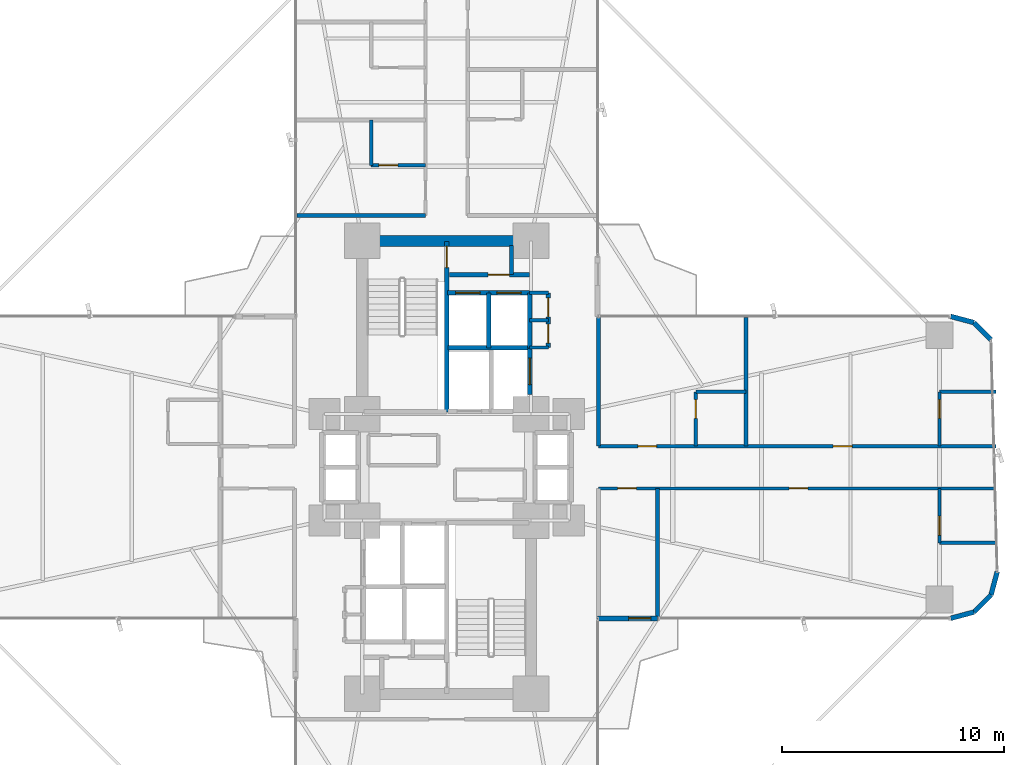
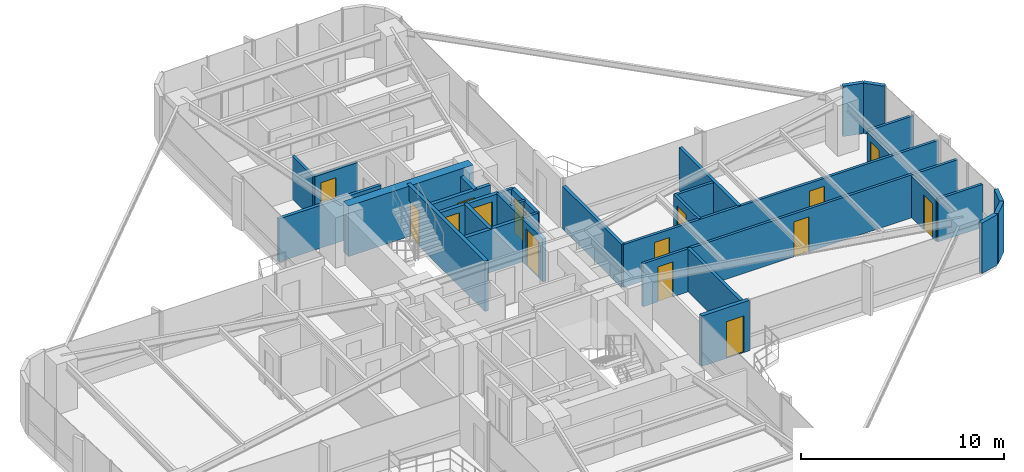
# One storey, part 23 of 25: 34 walls, 16 doors, 16 openings.
"""IFC4 building model written with IfcOpenShell, lengths in metres."""

from ifc_helpers import new_model, si_unit, direction, frame, frame_2d, origin, origin_2d, place, context, subcontext, project, spatial, rectangle, extrude, source, transform, mapped, material, layer, layer_set, type_object, element, fill, save


model = new_model("IFC4")

# Units and contexts
model_context = context("Model", 3, precision=1e-05, world=origin(), true_north=direction((0.0, 1.0)))
body_context = subcontext(model_context, "Body", "Model", "MODEL_VIEW")
ifc_project = project(units=[si_unit("LENGTHUNIT", "METRE"), si_unit("AREAUNIT", "SQUARE_METRE"), si_unit("VOLUMEUNIT", "CUBIC_METRE"), si_unit("PLANEANGLEUNIT", "RADIAN"), si_unit("MASSUNIT", "GRAM", prefix="KILO")], contexts=[model_context])

# Site, building, storey
site_placement = place(None, origin())
site = spatial("IfcSite", under=ifc_project, at=site_placement, CompositionType="ELEMENT")
building_placement = place(site_placement, origin())
building = spatial("IfcBuilding", under=site, at=building_placement, Name="Sahyath Konkavel Grand Hotel", CompositionType="ELEMENT")
storey_placement = place(building_placement, frame((0.0, 0.0, 71.14990234375)))
storey = spatial("IfcBuildingStorey", under=building, at=storey_placement, Name="L19", CompositionType="ELEMENT", Elevation=71.14990234375)

# Wall
ifc_material_1 = material(Name="Concrete C70/85", Category="concrete")
ifc_layer_1 = layer(ifc_material_1, 0.5)
ifc_layer_set_1 = layer_set([ifc_layer_1], Name="Concrete C70/85")
wall_type_1 = type_object("IfcWallType", Name="CWALL-500", PredefinedType="SHEAR", material=ifc_layer_set_1)
wall_1_placement = place(storey_placement, frame((-3.550048828125, 10.199951171875, 0.0), z_axis=(0.0, 0.0, 1.0), x_axis=(1.0, 0.0, 0.0)))
element("IfcWall", 1, at=wall_1_placement, inside=storey, type_object=wall_type_1, Name="L19 North Core Shear Wall N", PredefinedType="SHEAR", context=body_context, shape_type="SweptSolid", body=[
    extrude(rectangle(XDim=7.10009765625, YDim=0.5, at=frame_2d((3.550048828125, 0.0))), origin(), (0.0, 0.0, 1.0), 3.030029296875),
])

# Wall, opening, door
ifc_material_2 = material(Name="Warm Buff Sandstone Insulated Concrete C40/50", Category="masonry")
ifc_layer_2 = layer(ifc_material_2, 0.219970703125)
ifc_layer_set_2 = layer_set([ifc_layer_2], Name="Warm Buff Sandstone Insulated Concrete C40/50")
wall_type_2 = type_object("IfcWallType", Name="WLL-BALC-THRESH", PredefinedType="STANDARD", material=ifc_layer_set_2)
wall_2_placement = place(storey_placement, frame((6.800048828125, -6.800048828125, 0.0), z_axis=(0.0, 0.0, 1.0), x_axis=(1.0, 0.0, 0.0)))
wall_2 = element("IfcWall", 2, at=wall_2_placement, inside=storey, type_object=wall_type_2, Name="L19 Winter-Garden Threshold Wall 0", PredefinedType="STANDARD", context=body_context, shape_type="SweptSolid", body=[
    extrude(rectangle(XDim=2.699951171875, YDim=0.219970703125, at=frame_2d((1.35009765625, 0.0))), origin(), (0.0, 0.0, 1.0), 3.030029296875),
])
opening_1_placement = place(wall_2_placement, frame((1.39990234375, 0.0, 0.0)))
opening_1 = element("IfcOpeningElement", 3, at=opening_1_placement, cuts=wall_2, Name="Opening D-TR1", PredefinedType="OPENING", context=body_context, shape_type="SweptSolid", body=[
    extrude(rectangle(XDim=1.0, YDim=2.199951171875, at=frame_2d((0.5, 1.10009765625))), frame((0.0, 0.1201171875, 0.0), z_axis=(0.0, -1.0, 0.0), x_axis=(1.0, 0.0, 0.0)), (0.0, 0.0, 1.0), 0.239990234375),
])
ifc_material_3 = material(Name="Anodised Bronze Aluminium & Low-E Glazing", Category="aluminium")
door_type_1 = type_object("IfcDoorType", Name="DR-TERRACE-1000", OperationType="NOTDEFINED", PredefinedType="DOOR", material=ifc_material_3)
shared_shape_1 = source(origin(), body_context, "Body", "SweptSolid", [
    extrude(rectangle(XDim=1.0, YDim=0.050048828125, at=origin_2d()), origin(), (0.0, 0.0, 1.0), 2.199951171875),
])
door_1_placement = place(opening_1_placement, frame((0.5, 0.0, 0.0)))
door_1 = element("IfcDoor", 4, at=door_1_placement, inside=storey, type_object=door_type_1, Name="L19 Winter-Garden Terrace Door 0", OperationType="SINGLE_SWING_LEFT", OverallHeight=2.199951171875, OverallWidth=1.0, PredefinedType="DOOR", context=body_context, shape_type="MappedRepresentation", body=[
    mapped(shared_shape_1, transform((0.0, 0.0, 0.0), scale=1.0)),
])
fill(opening_1, door_1)

# Walls
for number, where, z_axis, x_axis, name in (
    (5, (22.699951171875, -6.800048828125, 0.0), (0.0, 0.0, 1.0), (0.965951058412, 0.25872485917, 0.0), "L19 Rounded Corner Sandstone Pier 1"),
    (6, (23.75, -6.518798828125, 0.0), (0.0, 0.0, 1.0), (0.707106781187, 0.707106781187, 0.0), "L19 Rounded Corner Sandstone Pier 2"),
    (7, (24.518798828125, -5.75, 0.0), (0.0, 0.0, 1.0), (0.25872485917, 0.965951058412, 0.0), "L19 Rounded Corner Sandstone Pier 3"),
    (8, (24.518798828125, 5.75, 0.0), (0.0, 0.0, 1.0), (-0.707106781187, 0.707106781187, 0.0), "L19 Rounded Corner Sandstone Pier 5"),
    (9, (23.75, 6.518798828125, 0.0), (0.0, 0.0, 1.0), (-0.965951058412, 0.25872485917, 0.0), "L19 Rounded Corner Sandstone Pier 6"),
):
    element("IfcWall", number, at=place(storey_placement, frame(where, z_axis=z_axis, x_axis=x_axis)), inside=storey, type_object=wall_type_2, Name=name, PredefinedType="STANDARD", context=body_context, shape_type="SweptSolid", body=[
        extrude(rectangle(XDim=1.087158203125, YDim=0.219970703125, at=frame_2d((0.54345703125, 0.0))), origin(), (0.0, 0.0, 1.0), 3.030029296875),
    ])

# Wall, opening, door
ifc_material_4 = material(Name="Concrete C40/50", Category="concrete")
ifc_layer_3 = layer(ifc_material_4, 0.199951171875)
ifc_layer_set_3 = layer_set([ifc_layer_3], Name="Concrete C40/50")
wall_type_3 = type_object("IfcWallType", Name="WLL-CORE-200", PredefinedType="SOLIDWALL", material=ifc_layer_set_3)
wall_3_placement = place(storey_placement, frame((0.0, 2.5, 0.0), z_axis=(0.0, 0.0, 1.0), x_axis=(0.0, 1.0, 0.0)))
wall_3 = element("IfcWall", 10, at=wall_3_placement, inside=storey, type_object=wall_type_3, Name="L19 Stair ST-1 Shaft Wall E", PredefinedType="SOLIDWALL", context=body_context, shape_type="SweptSolid", body=[
    extrude(rectangle(XDim=7.679931640625, YDim=0.199951171875, at=frame_2d((3.83984375, 0.0))), origin(), (0.0, 0.0, 1.0), 3.030029296875),
])
opening_2_placement = place(wall_3_placement, frame((6.5, 0.0, 0.0)))
opening_2 = element("IfcOpeningElement", 11, at=opening_2_placement, cuts=wall_3, Name="Opening D-F12C", PredefinedType="OPENING", context=body_context, shape_type="SweptSolid", body=[
    extrude(rectangle(XDim=0.949951171875, YDim=2.14990234375, at=frame_2d((0.47509765625, 1.074951171875))), frame((0.0, 0.10986328125, 0.0), z_axis=(0.0, -1.0, 0.0), x_axis=(1.0, 0.0, 0.0)), (0.0, 0.0, 1.0), 0.219970703125),
])
ifc_material_5 = material(Name="Steel E350 Plant Fire Door", Category="steel")
door_type_2 = type_object("IfcDoorType", Name="DR-FD120-950", OperationType="NOTDEFINED", PredefinedType="DOOR", material=ifc_material_5)
shared_shape_2 = source(origin(), body_context, "Body", "SweptSolid", [
    extrude(rectangle(XDim=0.949951171875, YDim=0.050048828125, at=origin_2d()), origin(), (0.0, 0.0, 1.0), 2.14990234375),
])
door_2_placement = place(opening_2_placement, frame((0.47509765625, 0.0, 0.0)))
door_2 = element("IfcDoor", 12, at=door_2_placement, inside=storey, type_object=door_type_2, Name="L19 Stair ST-1 Fire Door", OperationType="SINGLE_SWING_LEFT", OverallHeight=2.14990234375, OverallWidth=0.949951171875, PredefinedType="DOOR", context=body_context, shape_type="MappedRepresentation", body=[
    mapped(shared_shape_2, transform((0.0, 0.0, 0.0), scale=1.0)),
])
fill(opening_2, door_2)

wall_4_placement = place(storey_placement, frame((3.739990234375, 3.280029296875, 0.0), z_axis=(0.0, 0.0, 1.0), x_axis=(0.0, 1.0, 0.0)))
wall_4 = element("IfcWall", 13, at=wall_4_placement, inside=storey, type_object=wall_type_3, Name="L19 Partition SH-SVL1-E", PredefinedType="SOLIDWALL", context=body_context, shape_type="SweptSolid", body=[
    extrude(rectangle(XDim=2.080078125, YDim=0.199951171875, at=frame_2d((1.0400390625, 0.0))), origin(), (0.0, 0.0, 1.0), 2.580078125),
])
opening_3_placement = place(wall_4_placement, frame((0.43994140625, 0.0, 0.0)))
opening_3 = element("IfcOpeningElement", 14, at=opening_3_placement, cuts=wall_4, Name="Opening LD-12", PredefinedType="OPENING", context=body_context, shape_type="SweptSolid", body=[
    extrude(rectangle(XDim=1.199951171875, YDim=2.199951171875, at=frame_2d((0.60009765625, 1.10009765625))), frame((0.0, 0.10986328125, 0.0), z_axis=(0.0, -1.0, 0.0), x_axis=(1.0, 0.0, 0.0)), (0.0, 0.0, 1.0), 0.219970703125),
])
ifc_material_6 = material(Name="Stainless Steel Lift Landing Door 1200", Category="steel")
door_type_3 = type_object("IfcDoorType", Name="DR-LIFT-1200", OperationType="DOUBLE_DOOR_SLIDING", PredefinedType="DOOR", material=ifc_material_6)
shared_shape_3 = source(origin(), body_context, "Body", "SweptSolid", [
    extrude(rectangle(XDim=1.199951171875, YDim=0.050048828125, at=origin_2d()), origin(), (0.0, 0.0, 1.0), 2.199951171875),
])
door_3_placement = place(opening_3_placement, frame((0.60009765625, 0.0, 0.0)))
door_3 = element("IfcDoor", 15, at=door_3_placement, inside=storey, type_object=door_type_3, Name="L19 Service Lift SVL-1 Landing Door", OperationType="DOUBLE_DOOR_SLIDING", OverallHeight=2.199951171875, OverallWidth=1.199951171875, PredefinedType="DOOR", context=body_context, shape_type="MappedRepresentation", body=[
    mapped(shared_shape_3, transform((0.0, 0.0, 0.0), scale=1.0)),
])
fill(opening_3, door_3)

# Walls
wall_5_placement = place(storey_placement, frame((0.050048828125, 5.3798828125, 0.0), z_axis=(0.0, 0.0, 1.0), x_axis=(1.0, 0.0, 0.0)))
element("IfcWall", 16, at=wall_5_placement, inside=storey, type_object=wall_type_3, Name="L19 Partition SH-PL12-S", PredefinedType="SOLIDWALL", context=body_context, shape_type="SweptSolid", body=[
    extrude(rectangle(XDim=3.68994140625, YDim=0.199951171875, at=frame_2d((1.844970703125, 0.0))), origin(), (0.0, 0.0, 1.0), 2.580078125),
])
wall_6_placement = place(storey_placement, frame((1.89990234375, 5.3798828125, 0.0), z_axis=(0.0, 0.0, 1.0), x_axis=(0.0, 1.0, 0.0)))
element("IfcWall", 17, at=wall_6_placement, inside=storey, type_object=wall_type_3, Name="L19 Partition SH-PL12-M", PredefinedType="SOLIDWALL", context=body_context, shape_type="SweptSolid", body=[
    extrude(rectangle(XDim=2.480224609375, YDim=0.199951171875, at=frame_2d((1.240234375, 0.0))), origin(), (0.0, 0.0, 1.0), 2.580078125),
])

# Wall, opening, door
wall_7_placement = place(storey_placement, frame((0.050048828125, 7.860107421875, 0.0), z_axis=(0.0, 0.0, 1.0), x_axis=(1.0, 0.0, 0.0)))
wall_7 = element("IfcWall", 18, at=wall_7_placement, inside=storey, type_object=wall_type_3, Name="L19 Partition SH-PL1-N", PredefinedType="SOLIDWALL", context=body_context, shape_type="SweptSolid", body=[
    extrude(rectangle(XDim=1.849853515625, YDim=0.199951171875, at=frame_2d((0.9248046875, 0.0))), origin(), (0.0, 0.0, 1.0), 2.580078125),
])
opening_4_placement = place(wall_7_placement, frame((0.360107421875, 0.0, 0.0)))
opening_4 = element("IfcOpeningElement", 19, at=opening_4_placement, cuts=wall_7, Name="Opening LD-11", PredefinedType="OPENING", context=body_context, shape_type="SweptSolid", body=[
    extrude(rectangle(XDim=1.10009765625, YDim=2.199951171875, at=frame_2d((0.550048828125, 1.10009765625))), frame((0.0, 0.10986328125, 0.0), z_axis=(0.0, -1.0, 0.0), x_axis=(1.0, 0.0, 0.0)), (0.0, 0.0, 1.0), 0.219970703125),
])
ifc_material_7 = material(Name="Bronze Lift Landing Door 1100")
door_type_4 = type_object("IfcDoorType", Name="DR-LIFT-1100", OperationType="DOUBLE_DOOR_SLIDING", PredefinedType="DOOR", material=ifc_material_7)
shared_shape_4 = source(origin(), body_context, "Body", "SweptSolid", [
    extrude(rectangle(XDim=1.10009765625, YDim=0.050048828125, at=origin_2d()), origin(), (0.0, 0.0, 1.0), 2.199951171875),
])
door_4_placement = place(opening_4_placement, frame((0.550048828125, 0.0, 0.0)))
door_4 = element("IfcDoor", 20, at=door_4_placement, inside=storey, type_object=door_type_4, Name="L19 Passenger Lift PL-1 Landing Door", OperationType="DOUBLE_DOOR_SLIDING", OverallHeight=2.199951171875, OverallWidth=1.10009765625, PredefinedType="DOOR", context=body_context, shape_type="MappedRepresentation", body=[
    mapped(shared_shape_4, transform((0.0, 0.0, 0.0), scale=1.0)),
])
fill(opening_4, door_4)

# Wall
wall_8_placement = place(storey_placement, frame((3.739990234375, 5.3798828125, 0.0), z_axis=(0.0, 0.0, 1.0), x_axis=(0.0, 1.0, 0.0)))
element("IfcWall", 21, at=wall_8_placement, inside=storey, type_object=wall_type_3, Name="L19 Partition SH-PL2-E", PredefinedType="SOLIDWALL", context=body_context, shape_type="SweptSolid", body=[
    extrude(rectangle(XDim=2.480224609375, YDim=0.199951171875, at=frame_2d((1.240234375, 0.0))), origin(), (0.0, 0.0, 1.0), 2.580078125),
])

# Wall, opening, door
wall_9_placement = place(storey_placement, frame((1.89990234375, 7.860107421875, 0.0), z_axis=(0.0, 0.0, 1.0), x_axis=(1.0, 0.0, 0.0)))
wall_9 = element("IfcWall", 22, at=wall_9_placement, inside=storey, type_object=wall_type_3, Name="L19 Partition SH-PL2-N", PredefinedType="SOLIDWALL", context=body_context, shape_type="SweptSolid", body=[
    extrude(rectangle(XDim=1.840087890625, YDim=0.199951171875, at=frame_2d((0.919921875, 0.0))), origin(), (0.0, 0.0, 1.0), 2.580078125),
])
opening_5_placement = place(wall_9_placement, frame((0.360107421875, 0.0, 0.0)))
opening_5 = element("IfcOpeningElement", 23, at=opening_5_placement, cuts=wall_9, Name="Opening LD-11", PredefinedType="OPENING", context=body_context, shape_type="SweptSolid", body=[
    extrude(rectangle(XDim=1.10009765625, YDim=2.199951171875, at=frame_2d((0.550048828125, 1.10009765625))), frame((0.0, 0.10986328125, 0.0), z_axis=(0.0, -1.0, 0.0), x_axis=(1.0, 0.0, 0.0)), (0.0, 0.0, 1.0), 0.219970703125),
])
door_5_placement = place(opening_5_placement, frame((0.550048828125, 0.0, 0.0)))
door_5 = element("IfcDoor", 24, at=door_5_placement, inside=storey, type_object=door_type_4, Name="L19 Passenger Lift PL-2 Landing Door", OperationType="DOUBLE_DOOR_SLIDING", OverallHeight=2.199951171875, OverallWidth=1.10009765625, PredefinedType="DOOR", context=body_context, shape_type="MappedRepresentation", body=[
    mapped(shared_shape_4, transform((0.0, 0.0, 0.0), scale=1.0)),
])
fill(opening_5, door_5)

wall_10_placement = place(storey_placement, frame((0.1201171875, 8.679931640625, 0.0), z_axis=(0.0, 0.0, 1.0), x_axis=(1.0, 0.0, 0.0)))
wall_10 = element("IfcWall", 25, at=wall_10_placement, inside=storey, type_object=wall_type_3, Name="L19 North FF Lobby Separation Wall", PredefinedType="SOLIDWALL", context=body_context, shape_type="SweptSolid", body=[
    extrude(rectangle(XDim=3.619873046875, YDim=0.199951171875, at=frame_2d((1.81005859375, 0.0))), origin(), (0.0, 0.0, 1.0), 2.580078125),
])
opening_6_placement = place(wall_10_placement, frame((1.75, 0.0, 0.0)))
opening_6 = element("IfcOpeningElement", 26, at=opening_6_placement, cuts=wall_10, Name="Opening D-F12C", PredefinedType="OPENING", context=body_context, shape_type="SweptSolid", body=[
    extrude(rectangle(XDim=0.949951171875, YDim=2.14990234375, at=frame_2d((0.47509765625, 1.074951171875))), frame((0.0, 0.10986328125, 0.0), z_axis=(0.0, -1.0, 0.0), x_axis=(1.0, 0.0, 0.0)), (0.0, 0.0, 1.0), 0.219970703125),
])
door_6_placement = place(opening_6_placement, frame((0.47509765625, 0.0, 0.0)))
door_6 = element("IfcDoor", 27, at=door_6_placement, inside=storey, type_object=door_type_2, Name="L19 North Firefighting Lobby Door", OperationType="SINGLE_SWING_RIGHT", OverallHeight=2.14990234375, OverallWidth=0.949951171875, PredefinedType="DOOR", context=body_context, shape_type="MappedRepresentation", body=[
    mapped(shared_shape_2, transform((0.0, 0.0, 0.0), scale=1.0)),
])
fill(opening_6, door_6)

# Wall
wall_11_placement = place(storey_placement, frame((2.919921875, 8.679931640625, 0.0), z_axis=(0.0, 0.0, 1.0), x_axis=(0.0, 1.0, 0.0)))
element("IfcWall", 28, at=wall_11_placement, inside=storey, type_object=wall_type_3, Name="L19 Partition NFF-E2", PredefinedType="SOLIDWALL", context=body_context, shape_type="SweptSolid", body=[
    extrude(rectangle(XDim=1.320068359375, YDim=0.199951171875, at=frame_2d((0.66015625, 0.0))), origin(), (0.0, 0.0, 1.0), 2.580078125),
])

# Wall, openings, doors
wall_12_placement = place(storey_placement, frame((4.580078125, 5.39990234375, 0.0), z_axis=(0.0, 0.0, 1.0), x_axis=(0.0, 1.0, 0.0)))
wall_12 = element("IfcWall", 29, at=wall_12_placement, inside=storey, type_object=wall_type_3, Name="L19 Partition NC-FLK-E", PredefinedType="SOLIDWALL", context=body_context, shape_type="SweptSolid", body=[
    extrude(rectangle(XDim=2.460205078125, YDim=0.199951171875, at=frame_2d((1.22998046875, 0.0))), origin(), (0.0, 0.0, 1.0), 2.580078125),
])
opening_7_placement = place(wall_12_placement, frame((0.199951171875, 0.0, 0.0)))
opening_7 = element("IfcOpeningElement", 30, at=opening_7_placement, cuts=wall_12, Name="Opening D-F06D", PredefinedType="OPENING", context=body_context, shape_type="SweptSolid", body=[
    extrude(rectangle(XDim=0.85009765625, YDim=2.10009765625, at=frame_2d((0.425048828125, 1.050048828125))), frame((0.0, 0.10986328125, 0.0), z_axis=(0.0, -1.0, 0.0), x_axis=(1.0, 0.0, 0.0)), (0.0, 0.0, 1.0), 0.219970703125),
])
opening_8_placement = place(wall_12_placement, frame((1.3798828125, 0.0, 0.0)))
opening_8 = element("IfcOpeningElement", 31, at=opening_8_placement, cuts=wall_12, Name="Opening D-F06D", PredefinedType="OPENING", context=body_context, shape_type="SweptSolid", body=[
    extrude(rectangle(XDim=0.85009765625, YDim=2.10009765625, at=frame_2d((0.425048828125, 1.050048828125))), frame((0.0, 0.10986328125, 0.0), z_axis=(0.0, -1.0, 0.0), x_axis=(1.0, 0.0, 0.0)), (0.0, 0.0, 1.0), 0.219970703125),
])
ifc_material_8 = material(Name="Fire-Rated Shaft Access Door")
door_type_5 = type_object("IfcDoorType", Name="DR-FD60-850", OperationType="NOTDEFINED", PredefinedType="DOOR", material=ifc_material_8)
shared_shape_5 = source(origin(), body_context, "Body", "SweptSolid", [
    extrude(rectangle(XDim=0.85009765625, YDim=0.050048828125, at=origin_2d()), origin(), (0.0, 0.0, 1.0), 2.10009765625),
])
door_7_placement = place(opening_7_placement, frame((0.425048828125, 0.0, 0.0)))
door_7 = element("IfcDoor", 32, at=door_7_placement, inside=storey, type_object=door_type_5, Name="L19 Door NC-FLK1-D", OperationType="SINGLE_SWING_RIGHT", OverallHeight=2.10009765625, OverallWidth=0.85009765625, PredefinedType="DOOR", context=body_context, shape_type="MappedRepresentation", body=[
    mapped(shared_shape_5, transform((0.0, 0.0, 0.0), scale=1.0)),
])
fill(opening_7, door_7)
door_8_placement = place(opening_8_placement, frame((0.425048828125, 0.0, 0.0)))
door_8 = element("IfcDoor", 33, at=door_8_placement, inside=storey, type_object=door_type_5, Name="L19 Door NC-FLK2-D", OperationType="SINGLE_SWING_LEFT", OverallHeight=2.10009765625, OverallWidth=0.85009765625, PredefinedType="DOOR", context=body_context, shape_type="MappedRepresentation", body=[
    mapped(shared_shape_5, transform((0.0, 0.0, 0.0), scale=1.0)),
])
fill(opening_8, door_8)

# Walls
ifc_material_9 = material(Name="Twin-Stud Acoustic Gypsum Plasterboard Partition")
ifc_layer_4 = layer(ifc_material_9, 0.179931640625)
ifc_layer_set_4 = layer_set([ifc_layer_4], Name="Twin-Stud Acoustic Gypsum Plasterboard Partition")
wall_type_4 = type_object("IfcWallType", Name="WLL-DEMISE-180", PredefinedType="PARTITIONING", material=ifc_layer_set_4)
for number, where, z_axis, x_axis, name in (
    (34, (6.85009765625, 0.949951171875, 0.0), (0.0, 0.0, 1.0), (0.0, 1.0, 0.0), "L19 Partition E-INL"),
    (35, (13.472900390625, 0.949951171875, 0.0), (0.0, 0.0, 1.0), (0.0, 1.0, 0.0), "L19 Partition E-E1L-DEM"),
    (36, (9.5, -0.949951171875, 0.0), (0.0, 0.0, 1.0), (0.0, -1.0, 0.0), "L19 Partition E-EHK-DEM"),
    (37, (-0.949951171875, 11.35009765625, 0.0), (0.0, 0.0, 1.0), (-1.0, 0.0, 0.0), "L19 Partition N-INL"),
):
    element("IfcWall", number, at=place(storey_placement, frame(where, z_axis=z_axis, x_axis=x_axis)), inside=storey, type_object=wall_type_4, Name=name, PredefinedType="PARTITIONING", context=body_context, shape_type="SweptSolid", body=[
        extrude(rectangle(XDim=5.800048828125, YDim=0.179931640625, at=frame_2d((2.89990234375, 0.0))), origin(), (0.0, 0.0, 1.0), 2.580078125),
    ])
ifc_material_10 = material(Name="Fire-Rated Gypsum Plasterboard Partition")
ifc_layer_5 = layer(ifc_material_10, 0.14990234375)
ifc_layer_set_5 = layer_set([ifc_layer_5], Name="Fire-Rated Gypsum Plasterboard Partition")
wall_type_5 = type_object("IfcWallType", Name="WLL-PART-150", PredefinedType="PARTITIONING", material=ifc_layer_set_5)
for number, where, z_axis, x_axis, name in (
    (38, (3.739990234375, 5.39990234375, 0.0), (0.0, 0.0, 1.0), (1.0, 0.0, 0.0), "L19 Partition NC-FLK-S"),
    (39, (3.739990234375, 7.860107421875, 0.0), (0.0, 0.0, 1.0), (1.0, 0.0, 0.0), "L19 Partition NC-FLK-N"),
    (40, (3.739990234375, 6.6298828125, 0.0), (0.0, 0.0, 1.0), (1.0, 0.0, 0.0), "L19 Partition NC-FLK-M"),
):
    element("IfcWall", number, at=place(storey_placement, frame(where, z_axis=z_axis, x_axis=x_axis)), inside=storey, type_object=wall_type_5, Name=name, PredefinedType="PARTITIONING", context=body_context, shape_type="SweptSolid", body=[
        extrude(rectangle(XDim=0.840087890625, YDim=0.14990234375, at=frame_2d((0.419921875, 0.0))), origin(), (0.0, 0.0, 1.0), 2.580078125),
    ])

# Wall, openings, doors
wall_13_placement = place(storey_placement, frame((6.85009765625, 0.949951171875, 0.0), z_axis=(0.0, 0.0, 1.0), x_axis=(1.0, 0.0, 0.0)))
wall_13 = element("IfcWall", 41, at=wall_13_placement, inside=storey, type_object=wall_type_5, Name="L19 Partition E-CL", PredefinedType="PARTITIONING", context=body_context, shape_type="SweptSolid", body=[
    extrude(rectangle(XDim=17.89990234375, YDim=0.14990234375, at=frame_2d((8.949951171875, 0.0))), origin(), (0.0, 0.0, 1.0), 2.580078125),
])
opening_9_placement = place(wall_13_placement, frame((1.760009765625, 0.0, 0.0)))
opening_9 = element("IfcOpeningElement", 42, at=opening_9_placement, cuts=wall_13, Name="Opening D-F06D", PredefinedType="OPENING", context=body_context, shape_type="SweptSolid", body=[
    extrude(rectangle(XDim=0.85009765625, YDim=2.10009765625, at=frame_2d((0.425048828125, 1.050048828125))), frame((0.0, 0.0849609375, 0.0), z_axis=(0.0, -1.0, 0.0), x_axis=(1.0, 0.0, 0.0)), (0.0, 0.0, 1.0), 0.169921875),
])
opening_10_placement = place(wall_13_placement, frame((10.56201171875, 0.0, 0.0)))
opening_10 = element("IfcOpeningElement", 43, at=opening_10_placement, cuts=wall_13, Name="Opening D-F06D", PredefinedType="OPENING", context=body_context, shape_type="SweptSolid", body=[
    extrude(rectangle(XDim=0.85009765625, YDim=2.10009765625, at=frame_2d((0.425048828125, 1.050048828125))), frame((0.0, 0.0849609375, 0.0), z_axis=(0.0, -1.0, 0.0), x_axis=(1.0, 0.0, 0.0)), (0.0, 0.0, 1.0), 0.169921875),
])
door_9_placement = place(opening_9_placement, frame((0.425048828125, 0.0, 0.0)))
door_9 = element("IfcDoor", 44, at=door_9_placement, inside=storey, type_object=door_type_5, Name="L19 Door E-E1L-ED", OperationType="SINGLE_SWING_LEFT", OverallHeight=2.10009765625, OverallWidth=0.85009765625, PredefinedType="DOOR", context=body_context, shape_type="MappedRepresentation", body=[
    mapped(shared_shape_5, transform((0.0, 0.0, 0.0), scale=1.0)),
])
fill(opening_9, door_9)
door_10_placement = place(opening_10_placement, frame((0.425048828125, 0.0, 0.0)))
door_10 = element("IfcDoor", 45, at=door_10_placement, inside=storey, type_object=door_type_5, Name="L19 Door E-E2L-ED", OperationType="SINGLE_SWING_LEFT", OverallHeight=2.10009765625, OverallWidth=0.85009765625, PredefinedType="DOOR", context=body_context, shape_type="MappedRepresentation", body=[
    mapped(shared_shape_5, transform((0.0, 0.0, 0.0), scale=1.0)),
])
fill(opening_10, door_10)

wall_14_placement = place(storey_placement, frame((6.85009765625, -0.949951171875, 0.0), z_axis=(0.0, 0.0, 1.0), x_axis=(1.0, 0.0, 0.0)))
wall_14 = element("IfcWall", 46, at=wall_14_placement, inside=storey, type_object=wall_type_5, Name="L19 Partition E-CR", PredefinedType="PARTITIONING", context=body_context, shape_type="SweptSolid", body=[
    extrude(rectangle(XDim=17.89990234375, YDim=0.14990234375, at=frame_2d((8.949951171875, 0.0))), origin(), (0.0, 0.0, 1.0), 2.580078125),
])
opening_11_placement = place(wall_14_placement, frame((0.85009765625, 0.0, 0.0)))
opening_11 = element("IfcOpeningElement", 47, at=opening_11_placement, cuts=wall_14, Name="Opening D-F06D", PredefinedType="OPENING", context=body_context, shape_type="SweptSolid", body=[
    extrude(rectangle(XDim=0.85009765625, YDim=2.10009765625, at=frame_2d((0.425048828125, 1.050048828125))), frame((0.0, 0.0849609375, 0.0), z_axis=(0.0, -1.0, 0.0), x_axis=(1.0, 0.0, 0.0)), (0.0, 0.0, 1.0), 0.169921875),
])
opening_12_placement = place(wall_14_placement, frame((8.574951171875, 0.0, 0.0)))
opening_12 = element("IfcOpeningElement", 48, at=opening_12_placement, cuts=wall_14, Name="Opening D-F06D", PredefinedType="OPENING", context=body_context, shape_type="SweptSolid", body=[
    extrude(rectangle(XDim=0.85009765625, YDim=2.10009765625, at=frame_2d((0.425048828125, 1.050048828125))), frame((0.0, 0.0849609375, 0.0), z_axis=(0.0, -1.0, 0.0), x_axis=(1.0, 0.0, 0.0)), (0.0, 0.0, 1.0), 0.169921875),
])
door_11_placement = place(opening_11_placement, frame((0.425048828125, 0.0, 0.0)))
door_11 = element("IfcDoor", 49, at=door_11_placement, inside=storey, type_object=door_type_5, Name="L19 Door E-EHK-D", OperationType="SINGLE_SWING_RIGHT", OverallHeight=2.10009765625, OverallWidth=0.85009765625, PredefinedType="DOOR", context=body_context, shape_type="MappedRepresentation", body=[
    mapped(shared_shape_5, transform((0.0, 0.0, 0.0), scale=1.0)),
])
fill(opening_11, door_11)
door_12_placement = place(opening_12_placement, frame((0.425048828125, 0.0, 0.0)))
door_12 = element("IfcDoor", 50, at=door_12_placement, inside=storey, type_object=door_type_5, Name="L19 Door E-E2R-ED", OperationType="SINGLE_SWING_RIGHT", OverallHeight=2.10009765625, OverallWidth=0.85009765625, PredefinedType="DOOR", context=body_context, shape_type="MappedRepresentation", body=[
    mapped(shared_shape_5, transform((0.0, 0.0, 0.0), scale=1.0)),
])
fill(opening_12, door_12)

# Wall, opening, door
wall_15_placement = place(storey_placement, frame((11.220947265625, 0.949951171875, 0.0), z_axis=(0.0, 0.0, 1.0), x_axis=(0.0, 1.0, 0.0)))
wall_15 = element("IfcWall", 51, at=wall_15_placement, inside=storey, type_object=wall_type_5, Name="L19 Partition E-E1L-BS", PredefinedType="PARTITIONING", context=body_context, shape_type="SweptSolid", body=[
    extrude(rectangle(XDim=2.449951171875, YDim=0.14990234375, at=frame_2d((1.22509765625, 0.0))), origin(), (0.0, 0.0, 1.0), 2.580078125),
])
opening_13_placement = place(wall_15_placement, frame((1.25, 0.0, 0.0)))
opening_13 = element("IfcOpeningElement", 52, at=opening_13_placement, cuts=wall_15, Name="Opening D-BT85", PredefinedType="OPENING", context=body_context, shape_type="SweptSolid", body=[
    extrude(rectangle(XDim=0.85009765625, YDim=2.10009765625, at=frame_2d((0.425048828125, 1.050048828125))), frame((0.0, 0.0849609375, 0.0), z_axis=(0.0, -1.0, 0.0), x_axis=(1.0, 0.0, 0.0)), (0.0, 0.0, 1.0), 0.169921875),
])
ifc_material_11 = material(Name="Moisture-Resistant Teak Bathroom Door")
door_type_6 = type_object("IfcDoorType", Name="DR-BATH-850", OperationType="NOTDEFINED", PredefinedType="DOOR", material=ifc_material_11)
door_13_placement = place(opening_13_placement, frame((0.425048828125, 0.0, 0.0)))
door_13 = element("IfcDoor", 53, at=door_13_placement, inside=storey, type_object=door_type_6, Name="L19 Door E-E1L-BD", OperationType="SINGLE_SWING_RIGHT", OverallHeight=2.10009765625, OverallWidth=0.85009765625, PredefinedType="DOOR", context=body_context, shape_type="MappedRepresentation", body=[
    mapped(shared_shape_5, transform((0.0, 0.0, 0.0), scale=1.0)),
])
fill(opening_13, door_13)

# Wall
wall_16_placement = place(storey_placement, frame((11.220947265625, 3.39990234375, 0.0), z_axis=(0.0, 0.0, 1.0), x_axis=(1.0, 0.0, 0.0)))
element("IfcWall", 54, at=wall_16_placement, inside=storey, type_object=wall_type_5, Name="L19 Partition E-E1L-BF", PredefinedType="PARTITIONING", context=body_context, shape_type="SweptSolid", body=[
    extrude(rectangle(XDim=2.251953125, YDim=0.14990234375, at=frame_2d((1.1259765625, 0.0))), origin(), (0.0, 0.0, 1.0), 2.550048828125),
])

# Wall, opening, door
wall_17_placement = place(storey_placement, frame((22.199951171875, 0.949951171875, 0.0), z_axis=(0.0, 0.0, 1.0), x_axis=(0.0, 1.0, 0.0)))
wall_17 = element("IfcWall", 55, at=wall_17_placement, inside=storey, type_object=wall_type_5, Name="L19 Partition E-E2L-BS", PredefinedType="PARTITIONING", context=body_context, shape_type="SweptSolid", body=[
    extrude(rectangle(XDim=2.449951171875, YDim=0.14990234375, at=frame_2d((1.22509765625, 0.0))), origin(), (0.0, 0.0, 1.0), 2.5),
])
opening_14_placement = place(wall_17_placement, frame((1.25, 0.0, 0.0)))
opening_14 = element("IfcOpeningElement", 56, at=opening_14_placement, cuts=wall_17, Name="Opening D-BT85", PredefinedType="OPENING", context=body_context, shape_type="SweptSolid", body=[
    extrude(rectangle(XDim=0.85009765625, YDim=2.10009765625, at=frame_2d((0.425048828125, 1.050048828125))), frame((0.0, 0.0849609375, 0.0), z_axis=(0.0, -1.0, 0.0), x_axis=(1.0, 0.0, 0.0)), (0.0, 0.0, 1.0), 0.169921875),
])
door_14_placement = place(opening_14_placement, frame((0.425048828125, 0.0, 0.0)))
door_14 = element("IfcDoor", 57, at=door_14_placement, inside=storey, type_object=door_type_6, Name="L19 Door E-E2L-BD", OperationType="SINGLE_SWING_RIGHT", OverallHeight=2.10009765625, OverallWidth=0.85009765625, PredefinedType="DOOR", context=body_context, shape_type="MappedRepresentation", body=[
    mapped(shared_shape_5, transform((0.0, 0.0, 0.0), scale=1.0)),
])
fill(opening_14, door_14)

# Wall
wall_18_placement = place(storey_placement, frame((22.199951171875, 3.39990234375, 0.0), z_axis=(0.0, 0.0, 1.0), x_axis=(1.0, 0.0, 0.0)))
element("IfcWall", 58, at=wall_18_placement, inside=storey, type_object=wall_type_5, Name="L19 Partition E-E2L-BF", PredefinedType="PARTITIONING", context=body_context, shape_type="SweptSolid", body=[
    extrude(rectangle(XDim=2.550048828125, YDim=0.14990234375, at=frame_2d((1.27490234375, 0.0))), origin(), (0.0, 0.0, 1.0), 2.580078125),
])

# Wall, opening, door
wall_19_placement = place(storey_placement, frame((22.199951171875, -0.949951171875, 0.0), z_axis=(0.0, 0.0, 1.0), x_axis=(0.0, -1.0, 0.0)))
wall_19 = element("IfcWall", 59, at=wall_19_placement, inside=storey, type_object=wall_type_5, Name="L19 Partition E-E2R-BS", PredefinedType="PARTITIONING", context=body_context, shape_type="SweptSolid", body=[
    extrude(rectangle(XDim=2.449951171875, YDim=0.14990234375, at=frame_2d((1.22509765625, 0.0))), origin(), (0.0, 0.0, 1.0), 2.5),
])
opening_15_placement = place(wall_19_placement, frame((1.25, 0.0, 0.0)))
opening_15 = element("IfcOpeningElement", 60, at=opening_15_placement, cuts=wall_19, Name="Opening D-BT85", PredefinedType="OPENING", context=body_context, shape_type="SweptSolid", body=[
    extrude(rectangle(XDim=0.85009765625, YDim=2.10009765625, at=frame_2d((0.425048828125, 1.050048828125))), frame((0.0, 0.0849609375, 0.0), z_axis=(0.0, -1.0, 0.0), x_axis=(1.0, 0.0, 0.0)), (0.0, 0.0, 1.0), 0.169921875),
])
door_15_placement = place(opening_15_placement, frame((0.425048828125, 0.0, 0.0)))
door_15 = element("IfcDoor", 61, at=door_15_placement, inside=storey, type_object=door_type_6, Name="L19 Door E-E2R-BD", OperationType="SINGLE_SWING_LEFT", OverallHeight=2.10009765625, OverallWidth=0.85009765625, PredefinedType="DOOR", context=body_context, shape_type="MappedRepresentation", body=[
    mapped(shared_shape_5, transform((0.0, 0.0, 0.0), scale=1.0)),
])
fill(opening_15, door_15)

# Wall
wall_20_placement = place(storey_placement, frame((22.199951171875, -3.39990234375, 0.0), z_axis=(0.0, 0.0, 1.0), x_axis=(1.0, 0.0, 0.0)))
element("IfcWall", 62, at=wall_20_placement, inside=storey, type_object=wall_type_5, Name="L19 Partition E-E2R-BF", PredefinedType="PARTITIONING", context=body_context, shape_type="SweptSolid", body=[
    extrude(rectangle(XDim=2.550048828125, YDim=0.14990234375, at=frame_2d((1.27490234375, 0.0))), origin(), (0.0, 0.0, 1.0), 2.580078125),
])

# Wall, opening, door
wall_21_placement = place(storey_placement, frame((-0.949951171875, 13.60009765625, 0.0), z_axis=(0.0, 0.0, 1.0), x_axis=(-1.0, 0.0, 0.0)))
wall_21 = element("IfcWall", 63, at=wall_21_placement, inside=storey, type_object=wall_type_5, Name="L19 Partition N-N1L-BS", PredefinedType="PARTITIONING", context=body_context, shape_type="SweptSolid", body=[
    extrude(rectangle(XDim=2.449951171875, YDim=0.14990234375, at=frame_2d((1.22509765625, 0.0))), origin(), (0.0, 0.0, 1.0), 2.580078125),
])
opening_16_placement = place(wall_21_placement, frame((1.25, 0.0, 0.0)))
opening_16 = element("IfcOpeningElement", 64, at=opening_16_placement, cuts=wall_21, Name="Opening D-BT85", PredefinedType="OPENING", context=body_context, shape_type="SweptSolid", body=[
    extrude(rectangle(XDim=0.85009765625, YDim=2.10009765625, at=frame_2d((0.425048828125, 1.050048828125))), frame((0.0, 0.0849609375, 0.0), z_axis=(0.0, -1.0, 0.0), x_axis=(1.0, 0.0, 0.0)), (0.0, 0.0, 1.0), 0.169921875),
])
door_16_placement = place(opening_16_placement, frame((0.425048828125, 0.0, 0.0)))
door_16 = element("IfcDoor", 65, at=door_16_placement, inside=storey, type_object=door_type_6, Name="L19 Door N-N1L-BD", OperationType="SINGLE_SWING_LEFT", OverallHeight=2.10009765625, OverallWidth=0.85009765625, PredefinedType="DOOR", context=body_context, shape_type="MappedRepresentation", body=[
    mapped(shared_shape_5, transform((0.0, 0.0, 0.0), scale=1.0)),
])
fill(opening_16, door_16)

# Wall
wall_22_placement = place(storey_placement, frame((-3.39990234375, 13.60009765625, 0.0), z_axis=(0.0, 0.0, 1.0), x_axis=(0.0, 1.0, 0.0)))
element("IfcWall", 66, at=wall_22_placement, inside=storey, type_object=wall_type_5, Name="L19 Partition N-N1L-BF", PredefinedType="PARTITIONING", context=body_context, shape_type="SweptSolid", body=[
    extrude(rectangle(XDim=2.037841796875, YDim=0.14990234375, at=frame_2d((1.01904296875, 0.0))), origin(), (0.0, 0.0, 1.0), 2.580078125),
])

save(model, "model.ifc")
